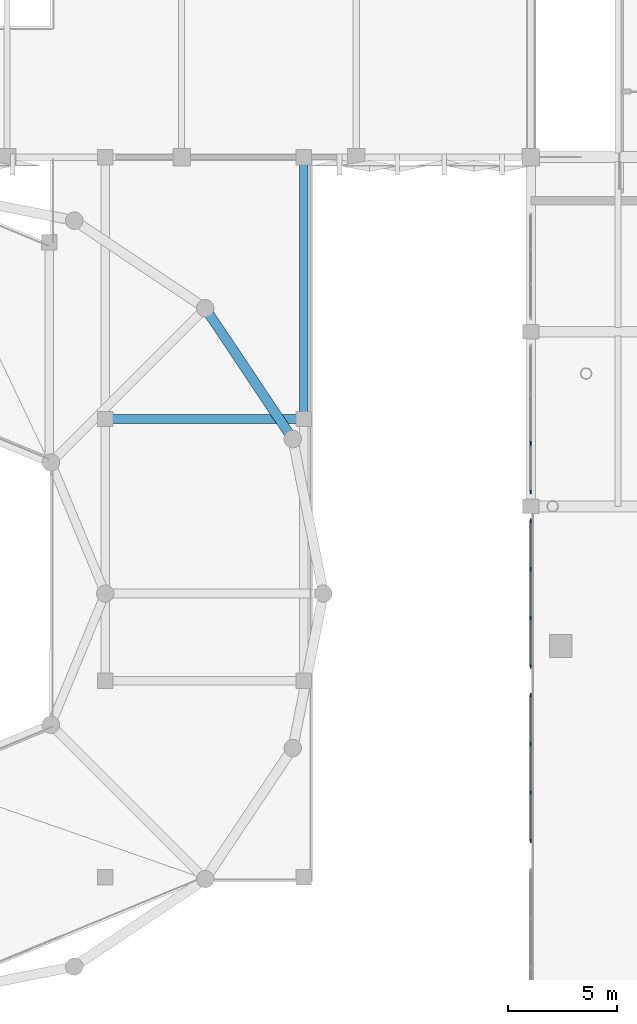
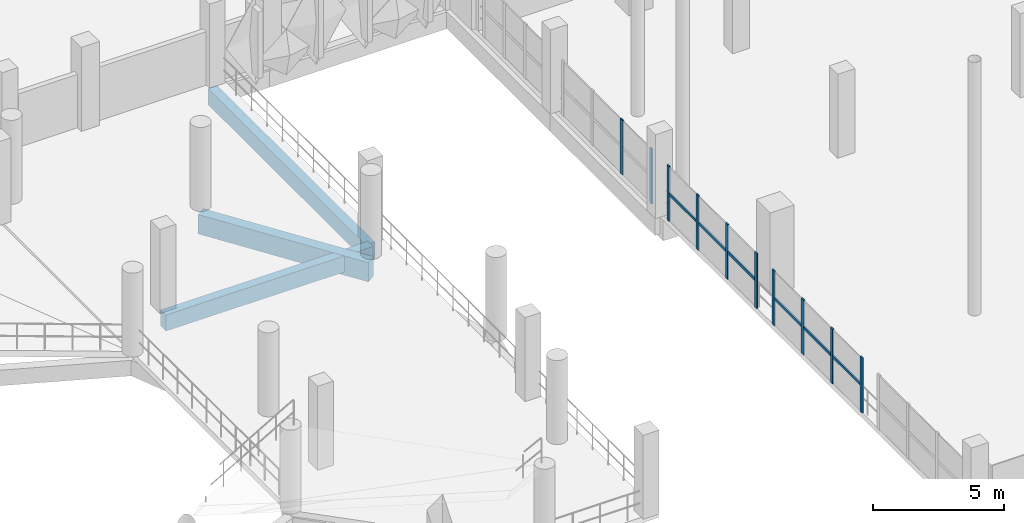
# One storey, part 23 of 123: 12 members, 3 beams, 3 elements without a shape of their own.
"""IFC4 building model written with IfcOpenShell, lengths in metres."""

from ifc_helpers import new_model, si_unit, derived_unit, direction, frame, origin, origin_2d, place, context, subcontext, project, spatial, rectangle, extrude, material, layer, layer_set, material_profile, profile_set, type_object, element, aggregate, save


model = new_model("IFC4")

# Units and contexts
model_context = context("Model", 3, precision=1e-05, world=origin(), true_north=direction((0.0, 1.0)))
body_context = subcontext(model_context, "Body", "Model", "MODEL_VIEW")
ifc_project = project(units=[si_unit("LENGTHUNIT", "METRE"), si_unit("AREAUNIT", "SQUARE_METRE"), si_unit("VOLUMEUNIT", "CUBIC_METRE"), si_unit("PLANEANGLEUNIT", "RADIAN"), si_unit("MASSUNIT", "GRAM", prefix="KILO"), si_unit("THERMODYNAMICTEMPERATUREUNIT", "KELVIN"), derived_unit("THERMALTRANSMITTANCEUNIT", [(si_unit("POWERUNIT", "WATT"), 1), (si_unit("AREAUNIT", "SQUARE_METRE"), -1), (si_unit("THERMODYNAMICTEMPERATUREUNIT", "KELVIN"), -1)])], contexts=[model_context])

# Site, building, storey
site_placement = place(None, origin())
site = spatial("IfcSite", under=ifc_project, at=site_placement, CompositionType="ELEMENT")
building_placement = place(site_placement, origin())
building = spatial("IfcBuilding", under=site, at=building_placement, Name="Haiyu Intermodal Mobility Hub", CompositionType="ELEMENT")
storey_placement = place(building_placement, frame((0.0, 0.0, 5.60009765625)))
storey = spatial("IfcBuildingStorey", under=building, at=storey_placement, Name="L01", CompositionType="ELEMENT", Elevation=5.60009765625)

# Beams
ifc_material_1 = material(Name="Concrete C40", Category="concrete")
ifc_material_profile_1 = material_profile(ifc_material_1, rectangle(XDim=0.39990234375, YDim=0.75, at=origin_2d()), Name="RCB400x750")
ifc_profile_set_1 = profile_set([ifc_material_profile_1], Name="Concrete C40")
beam_type_1 = type_object("IfcBeamType", Name="BM-CB03", PredefinedType="BEAM", material=ifc_profile_set_1)
beam_1_placement = place(storey_placement, frame((42.5, 68.0, -0.655029296875), z_axis=(1.0, 0.0, 0.0), x_axis=(0.0, 1.0, 0.0)))
element("IfcBeam", 1, at=beam_1_placement, inside=storey, type_object=beam_type_1, Name="BM-RMPL-L01-034", PredefinedType="BEAM", context=body_context, shape_type="SweptSolid", body=[
    extrude(rectangle(XDim=0.39990234375, YDim=0.75, at=origin_2d()), origin(), (0.0, 0.0, 1.0), 9.10009765625),
])
beam_2_placement = place(storey_placement, frame((51.60009765625, 68.0, -0.655029296875), z_axis=(0.0, 1.0, 0.0), x_axis=(-1.0, 0.0, 0.0)))
element("IfcBeam", 2, at=beam_2_placement, inside=storey, type_object=beam_type_1, Name="BM-RMPLE-L01-038", PredefinedType="BEAM", context=body_context, shape_type="SweptSolid", body=[
    extrude(rectangle(XDim=0.39990234375, YDim=0.75, at=origin_2d()), origin(), (0.0, 0.0, 1.0), 12.0),
])
ifc_material_profile_2 = material_profile(ifc_material_1, rectangle(XDim=0.449951171875, YDim=0.89990234375, at=origin_2d()), Name="RCB450x900")
ifc_profile_set_2 = profile_set([ifc_material_profile_2], Name="Concrete C40")
beam_type_2 = type_object("IfcBeamType", Name="BM-CB10", PredefinedType="BEAM", material=ifc_profile_set_2)
beam_3_placement = place(storey_placement, frame((51.092041015625, 67.080078125, -0.72998046875), z_axis=(-0.555691099877, 0.831388838942, 0.0), x_axis=(-0.831388838942, -0.555691099877, 0.0)))
element("IfcBeam", 3, at=beam_3_placement, inside=storey, type_object=beam_type_2, Name="BM-RMP-O-L01-002", PredefinedType="BEAM", context=body_context, shape_type="SweptSolid", body=[
    extrude(rectangle(XDim=0.449951171875, YDim=0.89990234375, at=origin_2d()), origin(), (0.0, 0.0, 1.0), 7.218017578125),
])

# Curtain wall, members
ifc_material_2 = material(Name="Low-e laminated insulating glass", Category="glass")
ifc_layer = layer(ifc_material_2, 0.25)
ifc_layer_set = layer_set([ifc_layer], Name="Low-e laminated insulating glass")
curtain_wall_type = type_object("IfcCurtainWallType", Name="CW-CW02", PredefinedType="NOTDEFINED", material=ifc_layer_set)
curtain_wall_1_placement = place(storey_placement, origin())
curtain_wall_1 = element("IfcCurtainWall", 4, at=curtain_wall_1_placement, inside=storey, type_object=curtain_wall_type, Name="Curtain Wall CW-V1W-L01-034", PredefinedType="NOTDEFINED")
ifc_material_3 = material(Name="Anodised aluminium 6063-T6", Category="aluminium")
ifc_material_profile_3 = material_profile(ifc_material_3, rectangle(XDim=0.06494140625, YDim=0.1650390625, at=origin_2d()), Name="ALU65x165")
ifc_profile_set_3 = profile_set([ifc_material_profile_3], Name="Anodised aluminium 6063-T6")
member_type_1 = type_object("IfcMemberType", Name="CWM-ML02", PredefinedType="MULLION", material=ifc_profile_set_3)
member_1_placement = place(storey_placement, frame((62.0, 55.340087890625, 0.0), z_axis=(0.0, 0.0, 1.0), x_axis=(1.0, 0.0, 0.0)))
member_1 = element("IfcMember", 5, at=member_1_placement, type_object=member_type_1, Name="CW-V1W-L01-034-ML01", PredefinedType="MULLION", context=body_context, shape_type="SweptSolid", body=[
    extrude(rectangle(XDim=0.06494140625, YDim=0.1650390625, at=origin_2d()), origin(), (0.0, 0.0, 1.0), 2.5498046875),
])
member_2_placement = place(storey_placement, frame((62.0, 53.113037109375, 0.0), z_axis=(0.0, 0.0, 1.0), x_axis=(1.0, 0.0, 0.0)))
member_2 = element("IfcMember", 6, at=member_2_placement, type_object=member_type_1, Name="CW-V1W-L01-034-ML02", PredefinedType="MULLION", context=body_context, shape_type="SweptSolid", body=[
    extrude(rectangle(XDim=0.06494140625, YDim=0.1650390625, at=origin_2d()), origin(), (0.0, 0.0, 1.0), 2.5498046875),
])
member_3_placement = place(storey_placement, frame((62.0, 50.886962890625, 0.0), z_axis=(0.0, 0.0, 1.0), x_axis=(1.0, 0.0, 0.0)))
member_3 = element("IfcMember", 7, at=member_3_placement, type_object=member_type_1, Name="CW-V1W-L01-034-ML03", PredefinedType="MULLION", context=body_context, shape_type="SweptSolid", body=[
    extrude(rectangle(XDim=0.06494140625, YDim=0.1650390625, at=origin_2d()), origin(), (0.0, 0.0, 1.0), 2.5498046875),
])
member_4_placement = place(storey_placement, frame((62.0, 48.659912109375, 0.0), z_axis=(0.0, 0.0, 1.0), x_axis=(1.0, 0.0, 0.0)))
member_4 = element("IfcMember", 8, at=member_4_placement, type_object=member_type_1, Name="CW-V1W-L01-034-ML04", PredefinedType="MULLION", context=body_context, shape_type="SweptSolid", body=[
    extrude(rectangle(XDim=0.06494140625, YDim=0.1650390625, at=origin_2d()), origin(), (0.0, 0.0, 1.0), 2.5498046875),
])

curtain_wall_2_placement = place(storey_placement, origin())
curtain_wall_2 = element("IfcCurtainWall", 9, at=curtain_wall_2_placement, inside=storey, type_object=curtain_wall_type, Name="Curtain Wall CW-V1W-L01-035", PredefinedType="NOTDEFINED")
member_5_placement = place(storey_placement, frame((62.0, 63.340087890625, 0.0), z_axis=(0.0, 0.0, 1.0), x_axis=(1.0, 0.0, 0.0)))
member_5 = element("IfcMember", 10, at=member_5_placement, type_object=member_type_1, Name="CW-V1W-L01-035-ML01", PredefinedType="MULLION", context=body_context, shape_type="SweptSolid", body=[
    extrude(rectangle(XDim=0.06494140625, YDim=0.1650390625, at=origin_2d()), origin(), (0.0, 0.0, 1.0), 2.5498046875),
])
member_6_placement = place(storey_placement, frame((62.0, 61.113037109375, 0.0), z_axis=(0.0, 0.0, 1.0), x_axis=(1.0, 0.0, 0.0)))
member_6 = element("IfcMember", 11, at=member_6_placement, type_object=member_type_1, Name="CW-V1W-L01-035-ML02", PredefinedType="MULLION", context=body_context, shape_type="SweptSolid", body=[
    extrude(rectangle(XDim=0.06494140625, YDim=0.1650390625, at=origin_2d()), origin(), (0.0, 0.0, 1.0), 2.5498046875),
])
member_7_placement = place(storey_placement, frame((62.0, 58.886962890625, 0.0), z_axis=(0.0, 0.0, 1.0), x_axis=(1.0, 0.0, 0.0)))
member_7 = element("IfcMember", 12, at=member_7_placement, type_object=member_type_1, Name="CW-V1W-L01-035-ML03", PredefinedType="MULLION", context=body_context, shape_type="SweptSolid", body=[
    extrude(rectangle(XDim=0.06494140625, YDim=0.1650390625, at=origin_2d()), origin(), (0.0, 0.0, 1.0), 2.5498046875),
])
member_8_placement = place(storey_placement, frame((62.0, 56.659912109375, 0.0), z_axis=(0.0, 0.0, 1.0), x_axis=(1.0, 0.0, 0.0)))
member_8 = element("IfcMember", 13, at=member_8_placement, type_object=member_type_1, Name="CW-V1W-L01-035-ML04", PredefinedType="MULLION", context=body_context, shape_type="SweptSolid", body=[
    extrude(rectangle(XDim=0.06494140625, YDim=0.1650390625, at=origin_2d()), origin(), (0.0, 0.0, 1.0), 2.5498046875),
])

curtain_wall_3_placement = place(storey_placement, origin())
curtain_wall_3 = element("IfcCurtainWall", 14, at=curtain_wall_3_placement, inside=storey, type_object=curtain_wall_type, Name="Curtain Wall CW-V1W-L01-036", PredefinedType="NOTDEFINED")
member_9_placement = place(storey_placement, frame((62.0, 66.886962890625, 0.0), z_axis=(0.0, 0.0, 1.0), x_axis=(1.0, 0.0, 0.0)))
member_9 = element("IfcMember", 15, at=member_9_placement, type_object=member_type_1, Name="CW-V1W-L01-036-ML03", PredefinedType="MULLION", context=body_context, shape_type="SweptSolid", body=[
    extrude(rectangle(XDim=0.06494140625, YDim=0.1650390625, at=origin_2d()), origin(), (0.0, 0.0, 1.0), 2.5498046875),
])
member_10_placement = place(storey_placement, frame((62.0, 64.659912109375, 0.0), z_axis=(0.0, 0.0, 1.0), x_axis=(1.0, 0.0, 0.0)))
member_10 = element("IfcMember", 16, at=member_10_placement, type_object=member_type_1, Name="CW-V1W-L01-036-ML04", PredefinedType="MULLION", context=body_context, shape_type="SweptSolid", body=[
    extrude(rectangle(XDim=0.06494140625, YDim=0.1650390625, at=origin_2d()), origin(), (0.0, 0.0, 1.0), 2.5498046875),
])
aggregate(curtain_wall_3, [member_9, member_10])

# Member
ifc_material_profile_4 = material_profile(ifc_material_3, rectangle(XDim=0.06494140625, YDim=0.135009765625, at=origin_2d()), Name="ALU65x135")
ifc_profile_set_4 = profile_set([ifc_material_profile_4], Name="Anodised aluminium 6063-T6")
member_type_2 = type_object("IfcMemberType", Name="CWM-TR02", PredefinedType="USERDEFINED", material=ifc_profile_set_4)
member_11_placement = place(storey_placement, frame((62.0, 55.3798828125, 1.27490234375), z_axis=(0.0, -1.0, 0.0), x_axis=(1.0, 0.0, 0.0)))
member_11 = element("IfcMember", 17, at=member_11_placement, type_object=member_type_2, Name="CW-V1W-L01-034-TR01", ObjectType="TRANSOM", PredefinedType="USERDEFINED", context=body_context, shape_type="SweptSolid", body=[
    extrude(rectangle(XDim=0.06494140625, YDim=0.135009765625, at=origin_2d()), origin(), (0.0, 0.0, 1.0), 6.759765625),
])

aggregate(curtain_wall_1, [member_1, member_2, member_3, member_4, member_11])

member_12_placement = place(storey_placement, frame((62.0, 63.3798828125, 1.27490234375), z_axis=(0.0, -1.0, 0.0), x_axis=(1.0, 0.0, 0.0)))
member_12 = element("IfcMember", 18, at=member_12_placement, type_object=member_type_2, Name="CW-V1W-L01-035-TR01", ObjectType="TRANSOM", PredefinedType="USERDEFINED", context=body_context, shape_type="SweptSolid", body=[
    extrude(rectangle(XDim=0.06494140625, YDim=0.135009765625, at=origin_2d()), origin(), (0.0, 0.0, 1.0), 6.759765625),
])

aggregate(curtain_wall_2, [member_5, member_6, member_7, member_8, member_12])

save(model, "model.ifc")
